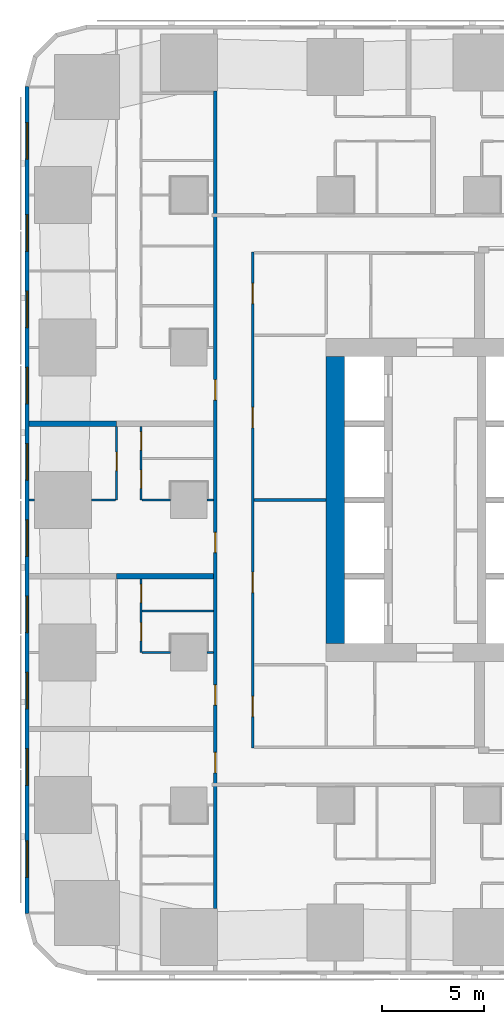
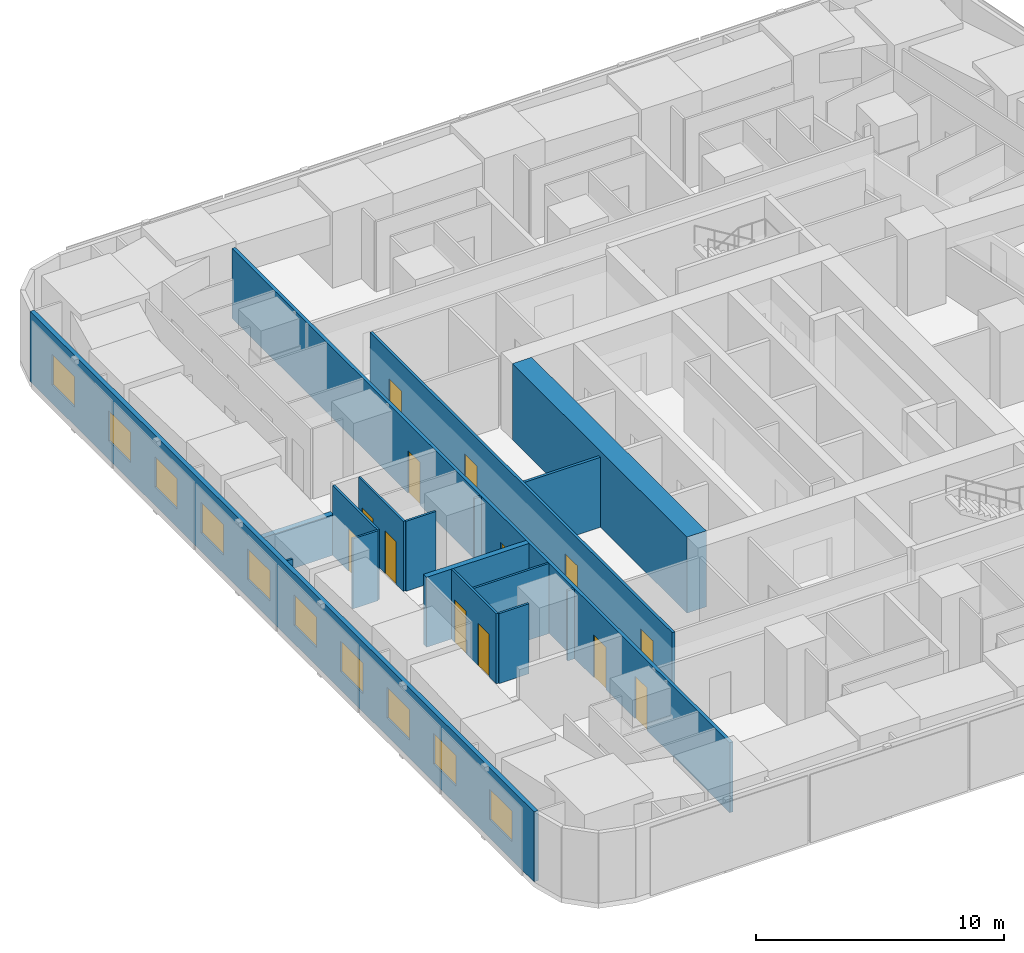
# One storey, part 4 of 15: 17 walls, 13 doors, 10 windows, 23 openings.
"""IFC4 building model written with IfcOpenShell, lengths in metres."""

from ifc_helpers import new_model, si_unit, direction, frame, frame_2d, origin, place, context, subcontext, project, spatial, rectangle, extrude, material, layer, layer_set, type_object, element, fill, save


model = new_model("IFC4")

# Units and contexts
model_context = context("Model", 3, precision=1e-05, world=origin(), true_north=direction((0.0, 1.0)))
body_context = subcontext(model_context, "Body", "Model", "MODEL_VIEW")
ifc_project = project(units=[si_unit("LENGTHUNIT", "METRE"), si_unit("AREAUNIT", "SQUARE_METRE"), si_unit("VOLUMEUNIT", "CUBIC_METRE"), si_unit("PLANEANGLEUNIT", "RADIAN"), si_unit("MASSUNIT", "GRAM", prefix="KILO")], contexts=[model_context])

# Site, building, storey
site_placement = place(None, origin())
site = spatial("IfcSite", under=ifc_project, at=site_placement, CompositionType="ELEMENT")
building_placement = place(site_placement, origin())
building = spatial("IfcBuilding", under=site, at=building_placement, Name="Sheger Commons Tower", CompositionType="ELEMENT")
storey_placement = place(building_placement, frame((0.0, 0.0, 68.75)))
storey = spatial("IfcBuildingStorey", under=building, at=storey_placement, Name="L17", CompositionType="ELEMENT", Elevation=68.75)

# Wall
ifc_material_1 = material(Name="Concrete C50/60", Category="concrete")
ifc_layer_1 = layer(ifc_material_1, 0.89990234375)
ifc_layer_set_1 = layer_set([ifc_layer_1], Name="CORE WALL 900")
wall_type_1 = type_object("IfcWallType", Name="CORE WALL 900", PredefinedType="SHEAR", material=ifc_layer_set_1)
wall_1_placement = place(storey_placement, frame((14.39990234375, 15.449951171875, 0.0), z_axis=(0.0, 0.0, 1.0), x_axis=(0.0, 1.0, 0.0)))
element("IfcWall", 1, at=wall_1_placement, inside=storey, type_object=wall_type_1, Name="Core wall west L17", PredefinedType="SHEAR", context=body_context, shape_type="SweptSolid", body=[
    extrude(rectangle(XDim=14.10009765625, YDim=0.89990234375, at=frame_2d((7.050048828125, 0.0))), origin(), (0.0, 0.0, 1.0), 3.75),
])

# Wall, openings, doors
ifc_material_2 = material(Name="Hollow concrete block masonry, skimmed both sides", Category="masonry")
ifc_layer_2 = layer(ifc_material_2, 0.14990234375)
ifc_layer_set_2 = layer_set([ifc_layer_2], Name="CORRIDOR WALL 150")
wall_type_2 = type_object("IfcWallType", Name="CORRIDOR WALL 150", PredefinedType="SOLIDWALL", material=ifc_layer_set_2)
wall_2_placement = place(storey_placement, frame((8.5, 2.426025390625, 0.0), z_axis=(0.0, 0.0, 1.0), x_axis=(0.0, 1.0, 0.0)))
wall_2 = element("IfcWall", 2, at=wall_2_placement, inside=storey, type_object=wall_type_2, Name="Corridor wall L17", PredefinedType="SOLIDWALL", context=body_context, shape_type="SweptSolid", body=[
    extrude(rectangle(XDim=40.173095703125, YDim=0.14990234375, at=frame_2d((20.08642578125, 0.0))), origin(), (0.0, 0.0, 1.0), 3.449951171875),
])
opening_1_placement = place(wall_2_placement, frame((6.660888671875, 0.0, 0.0)))
opening_1 = element("IfcOpeningElement", 3, at=opening_1_placement, cuts=wall_2, Name="Opening D1", PredefinedType="OPENING", context=body_context, shape_type="SweptSolid", body=[
    extrude(rectangle(XDim=1.0, YDim=2.10009765625, at=frame_2d((0.5, 1.050048828125))), frame((0.0, 0.0849609375, 0.0), z_axis=(0.0, -1.0, 0.0), x_axis=(1.0, 0.0, 0.0)), (0.0, 0.0, 1.0), 0.169921875),
])
opening_2_placement = place(wall_2_placement, frame((9.986083984375, 0.0, 0.0)))
opening_2 = element("IfcOpeningElement", 4, at=opening_2_placement, cuts=wall_2, Name="Opening D1", PredefinedType="OPENING", context=body_context, shape_type="SweptSolid", body=[
    extrude(rectangle(XDim=1.0, YDim=2.10009765625, at=frame_2d((0.5, 1.050048828125))), frame((0.0, 0.0849609375, 0.0), z_axis=(0.0, -1.0, 0.0), x_axis=(1.0, 0.0, 0.0)), (0.0, 0.0, 1.0), 0.169921875),
])
opening_3_placement = place(wall_2_placement, frame((17.487060546875, 0.0, 0.0)))
opening_3 = element("IfcOpeningElement", 5, at=opening_3_placement, cuts=wall_2, Name="Opening D1", PredefinedType="OPENING", context=body_context, shape_type="SweptSolid", body=[
    extrude(rectangle(XDim=1.0, YDim=2.10009765625, at=frame_2d((0.5, 1.050048828125))), frame((0.0, 0.0849609375, 0.0), z_axis=(0.0, -1.0, 0.0), x_axis=(1.0, 0.0, 0.0)), (0.0, 0.0, 1.0), 0.169921875),
])
opening_4_placement = place(wall_2_placement, frame((24.987060546875, 0.0, 0.0)))
opening_4 = element("IfcOpeningElement", 6, at=opening_4_placement, cuts=wall_2, Name="Opening D1", PredefinedType="OPENING", context=body_context, shape_type="SweptSolid", body=[
    extrude(rectangle(XDim=1.0, YDim=2.10009765625, at=frame_2d((0.5, 1.050048828125))), frame((0.0, 0.0849609375, 0.0), z_axis=(0.0, -1.0, 0.0), x_axis=(1.0, 0.0, 0.0)), (0.0, 0.0, 1.0), 0.169921875),
])
ifc_material_3 = material(Name="Steel door set, fire rated", Category="steel")
door_type_1 = type_object("IfcDoorType", Name="FLAT ENTRANCE DOOR 1000x2100", OperationType="NOTDEFINED", PredefinedType="DOOR", material=ifc_material_3)
door_1_placement = place(opening_1_placement, origin())
door_1 = element("IfcDoor", 7, at=door_1_placement, inside=storey, type_object=door_type_1, Name="Flat entrance door", OperationType="SINGLE_SWING_RIGHT", OverallHeight=2.10009765625, OverallWidth=1.0, PredefinedType="DOOR", context=body_context, shape_type="SweptSolid", body=[
    extrude(rectangle(XDim=1.0, YDim=2.10009765625, at=frame_2d((0.5, 1.050048828125))), frame((0.0, 0.02490234375, 0.0), z_axis=(0.0, -1.0, 0.0), x_axis=(1.0, 0.0, 0.0)), (0.0, 0.0, 1.0), 0.050048828125),
])
fill(opening_1, door_1)
door_2_placement = place(opening_2_placement, origin())
door_2 = element("IfcDoor", 8, at=door_2_placement, inside=storey, type_object=door_type_1, Name="Flat entrance door", OperationType="SINGLE_SWING_LEFT", OverallHeight=2.10009765625, OverallWidth=1.0, PredefinedType="DOOR", context=body_context, shape_type="SweptSolid", body=[
    extrude(rectangle(XDim=1.0, YDim=2.10009765625, at=frame_2d((0.5, 1.050048828125))), frame((0.0, 0.02490234375, 0.0), z_axis=(0.0, -1.0, 0.0), x_axis=(1.0, 0.0, 0.0)), (0.0, 0.0, 1.0), 0.050048828125),
])
fill(opening_2, door_2)
door_3_placement = place(opening_3_placement, origin())
door_3 = element("IfcDoor", 9, at=door_3_placement, inside=storey, type_object=door_type_1, Name="Flat entrance door", OperationType="SINGLE_SWING_LEFT", OverallHeight=2.10009765625, OverallWidth=1.0, PredefinedType="DOOR", context=body_context, shape_type="SweptSolid", body=[
    extrude(rectangle(XDim=1.0, YDim=2.10009765625, at=frame_2d((0.5, 1.050048828125))), frame((0.0, 0.02490234375, 0.0), z_axis=(0.0, -1.0, 0.0), x_axis=(1.0, 0.0, 0.0)), (0.0, 0.0, 1.0), 0.050048828125),
])
fill(opening_3, door_3)
door_4_placement = place(opening_4_placement, origin())
door_4 = element("IfcDoor", 10, at=door_4_placement, inside=storey, type_object=door_type_1, Name="Flat entrance door", OperationType="SINGLE_SWING_LEFT", OverallHeight=2.10009765625, OverallWidth=1.0, PredefinedType="DOOR", context=body_context, shape_type="SweptSolid", body=[
    extrude(rectangle(XDim=1.0, YDim=2.10009765625, at=frame_2d((0.5, 1.050048828125))), frame((0.0, 0.02490234375, 0.0), z_axis=(0.0, -1.0, 0.0), x_axis=(1.0, 0.0, 0.0)), (0.0, 0.0, 1.0), 0.050048828125),
])
fill(opening_4, door_4)

# Walls
ifc_material_4 = material(Name="Dense concrete block masonry, plastered both sides (separating wall between flats)", Category="masonry")
ifc_layer_3 = layer(ifc_material_4, 0.25)
ifc_layer_set_3 = layer_set([ifc_layer_3], Name="DEMISING WALL 250")
wall_type_3 = type_object("IfcWallType", Name="DEMISING WALL 250", PredefinedType="SOLIDWALL", material=ifc_layer_set_3)
wall_3_placement = place(storey_placement, frame((3.64990234375, 18.75, 0.0), z_axis=(0.0, 0.0, 1.0), x_axis=(1.0, 0.0, 0.0)))
element("IfcWall", 11, at=wall_3_placement, inside=storey, type_object=wall_type_3, Name="Demising wall L17", PredefinedType="SOLIDWALL", context=body_context, shape_type="SweptSolid", body=[
    extrude(rectangle(XDim=4.775146484375, YDim=0.25, at=frame_2d((2.3876953125, 0.0))), origin(), (0.0, 0.0, 1.0), 3.449951171875),
])
wall_4_placement = place(storey_placement, frame((-0.64990234375, 26.25, 0.0), z_axis=(0.0, 0.0, 1.0), x_axis=(1.0, 0.0, 0.0)))
element("IfcWall", 12, at=wall_4_placement, inside=storey, type_object=wall_type_3, Name="Demising wall L17", PredefinedType="SOLIDWALL", context=body_context, shape_type="SweptSolid", body=[
    extrude(rectangle(XDim=4.2998046875, YDim=0.25, at=frame_2d((2.14990234375, 0.0))), origin(), (0.0, 0.0, 1.0), 2.0),
])

# Wall, openings, windows
ifc_material_5 = material(Name="Rendered concrete block masonry, dark grey", Category="masonry")
ifc_layer_4 = layer(ifc_material_5, 0.199951171875)
ifc_layer_set_4 = layer_set([ifc_layer_4], Name="FACADE WALL 200")
wall_type_4 = type_object("IfcWallType", Name="FACADE WALL 200", PredefinedType="SOLIDWALL", material=ifc_layer_set_4)
wall_5_placement = place(storey_placement, frame((-0.75, 42.8369140625, 0.0), z_axis=(0.0, 0.0, 1.0), x_axis=(0.0, -1.0, 0.0)))
wall_5 = element("IfcWall", 13, at=wall_5_placement, inside=storey, type_object=wall_type_4, Name="Facade wall L17", PredefinedType="SOLIDWALL", context=body_context, shape_type="SweptSolid", body=[
    extrude(rectangle(XDim=40.673828125, YDim=0.199951171875, at=frame_2d((20.3369140625, 0.0))), origin(), (0.0, 0.0, 1.0), 3.449951171875),
])
opening_5_placement = place(wall_5_placement, frame((1.780029296875, 0.0, 0.89990234375)))
opening_5 = element("IfcOpeningElement", 14, at=opening_5_placement, cuts=wall_5, Name="Opening W2", PredefinedType="OPENING", context=body_context, shape_type="SweptSolid", body=[
    extrude(rectangle(XDim=1.800048828125, YDim=1.5, at=frame_2d((0.89990234375, 0.75))), frame((0.0, 0.10986328125, 0.0), z_axis=(0.0, -1.0, 0.0), x_axis=(1.0, 0.0, 0.0)), (0.0, 0.0, 1.0), 0.219970703125),
])
opening_6_placement = place(wall_5_placement, frame((6.31201171875, 0.0, 0.89990234375)))
opening_6 = element("IfcOpeningElement", 15, at=opening_6_placement, cuts=wall_5, Name="Opening W2", PredefinedType="OPENING", context=body_context, shape_type="SweptSolid", body=[
    extrude(rectangle(XDim=1.800048828125, YDim=1.5, at=frame_2d((0.89990234375, 0.75))), frame((0.0, 0.10986328125, 0.0), z_axis=(0.0, -1.0, 0.0), x_axis=(1.0, 0.0, 0.0)), (0.0, 0.0, 1.0), 0.219970703125),
])
opening_7_placement = place(wall_5_placement, frame((10.06201171875, 0.0, 0.89990234375)))
opening_7 = element("IfcOpeningElement", 16, at=opening_7_placement, cuts=wall_5, Name="Opening W2", PredefinedType="OPENING", context=body_context, shape_type="SweptSolid", body=[
    extrude(rectangle(XDim=1.800048828125, YDim=1.5, at=frame_2d((0.89990234375, 0.75))), frame((0.0, 0.10986328125, 0.0), z_axis=(0.0, -1.0, 0.0), x_axis=(1.0, 0.0, 0.0)), (0.0, 0.0, 1.0), 0.219970703125),
])
opening_8_placement = place(wall_5_placement, frame((13.81201171875, 0.0, 0.89990234375)))
opening_8 = element("IfcOpeningElement", 17, at=opening_8_placement, cuts=wall_5, Name="Opening W2", PredefinedType="OPENING", context=body_context, shape_type="SweptSolid", body=[
    extrude(rectangle(XDim=1.800048828125, YDim=1.5, at=frame_2d((0.89990234375, 0.75))), frame((0.0, 0.10986328125, 0.0), z_axis=(0.0, -1.0, 0.0), x_axis=(1.0, 0.0, 0.0)), (0.0, 0.0, 1.0), 0.219970703125),
])
opening_9_placement = place(wall_5_placement, frame((17.56201171875, 0.0, 0.89990234375)))
opening_9 = element("IfcOpeningElement", 18, at=opening_9_placement, cuts=wall_5, Name="Opening W2", PredefinedType="OPENING", context=body_context, shape_type="SweptSolid", body=[
    extrude(rectangle(XDim=1.800048828125, YDim=1.5, at=frame_2d((0.89990234375, 0.75))), frame((0.0, 0.10986328125, 0.0), z_axis=(0.0, -1.0, 0.0), x_axis=(1.0, 0.0, 0.0)), (0.0, 0.0, 1.0), 0.219970703125),
])
opening_10_placement = place(wall_5_placement, frame((21.31201171875, 0.0, 0.89990234375)))
opening_10 = element("IfcOpeningElement", 19, at=opening_10_placement, cuts=wall_5, Name="Opening W2", PredefinedType="OPENING", context=body_context, shape_type="SweptSolid", body=[
    extrude(rectangle(XDim=1.800048828125, YDim=1.5, at=frame_2d((0.89990234375, 0.75))), frame((0.0, 0.10986328125, 0.0), z_axis=(0.0, -1.0, 0.0), x_axis=(1.0, 0.0, 0.0)), (0.0, 0.0, 1.0), 0.219970703125),
])
opening_11_placement = place(wall_5_placement, frame((25.06201171875, 0.0, 0.89990234375)))
opening_11 = element("IfcOpeningElement", 20, at=opening_11_placement, cuts=wall_5, Name="Opening W2", PredefinedType="OPENING", context=body_context, shape_type="SweptSolid", body=[
    extrude(rectangle(XDim=1.800048828125, YDim=1.5, at=frame_2d((0.89990234375, 0.75))), frame((0.0, 0.10986328125, 0.0), z_axis=(0.0, -1.0, 0.0), x_axis=(1.0, 0.0, 0.0)), (0.0, 0.0, 1.0), 0.219970703125),
])
opening_12_placement = place(wall_5_placement, frame((28.81201171875, 0.0, 0.89990234375)))
opening_12 = element("IfcOpeningElement", 21, at=opening_12_placement, cuts=wall_5, Name="Opening W2", PredefinedType="OPENING", context=body_context, shape_type="SweptSolid", body=[
    extrude(rectangle(XDim=1.800048828125, YDim=1.5, at=frame_2d((0.89990234375, 0.75))), frame((0.0, 0.10986328125, 0.0), z_axis=(0.0, -1.0, 0.0), x_axis=(1.0, 0.0, 0.0)), (0.0, 0.0, 1.0), 0.219970703125),
])
opening_13_placement = place(wall_5_placement, frame((32.56201171875, 0.0, 0.89990234375)))
opening_13 = element("IfcOpeningElement", 22, at=opening_13_placement, cuts=wall_5, Name="Opening W2", PredefinedType="OPENING", context=body_context, shape_type="SweptSolid", body=[
    extrude(rectangle(XDim=1.800048828125, YDim=1.5, at=frame_2d((0.89990234375, 0.75))), frame((0.0, 0.10986328125, 0.0), z_axis=(0.0, -1.0, 0.0), x_axis=(1.0, 0.0, 0.0)), (0.0, 0.0, 1.0), 0.219970703125),
])
opening_14_placement = place(wall_5_placement, frame((37.093994140625, 0.0, 0.89990234375)))
opening_14 = element("IfcOpeningElement", 23, at=opening_14_placement, cuts=wall_5, Name="Opening W2", PredefinedType="OPENING", context=body_context, shape_type="SweptSolid", body=[
    extrude(rectangle(XDim=1.800048828125, YDim=1.5, at=frame_2d((0.89990234375, 0.75))), frame((0.0, 0.10986328125, 0.0), z_axis=(0.0, -1.0, 0.0), x_axis=(1.0, 0.0, 0.0)), (0.0, 0.0, 1.0), 0.219970703125),
])
ifc_material_6 = material(Name="Black aluminium frame, dark tinted double glazing", Category="aluminium")
window_type = type_object("IfcWindowType", Name="WINDOW W2 1800x1500", PartitioningType="SINGLE_PANEL", PredefinedType="WINDOW", material=ifc_material_6)
window_1_placement = place(opening_5_placement, origin())
window_1 = element("IfcWindow", 24, at=window_1_placement, inside=storey, type_object=window_type, Name="Window W2 1800X1500", OverallHeight=1.5, OverallWidth=1.800048828125, PartitioningType="SINGLE_PANEL", PredefinedType="WINDOW", context=body_context, shape_type="SweptSolid", body=[
    extrude(rectangle(XDim=1.800048828125, YDim=1.5, at=frame_2d((0.89990234375, 0.75))), frame((0.0, 0.030029296875, 0.0), z_axis=(0.0, -1.0, 0.0), x_axis=(1.0, 0.0, 0.0)), (0.0, 0.0, 1.0), 0.06005859375),
])
fill(opening_5, window_1)
window_2_placement = place(opening_6_placement, origin())
window_2 = element("IfcWindow", 25, at=window_2_placement, inside=storey, type_object=window_type, Name="Window W2 1800X1500", OverallHeight=1.5, OverallWidth=1.800048828125, PartitioningType="SINGLE_PANEL", PredefinedType="WINDOW", context=body_context, shape_type="SweptSolid", body=[
    extrude(rectangle(XDim=1.800048828125, YDim=1.5, at=frame_2d((0.89990234375, 0.75))), frame((0.0, 0.030029296875, 0.0), z_axis=(0.0, -1.0, 0.0), x_axis=(1.0, 0.0, 0.0)), (0.0, 0.0, 1.0), 0.06005859375),
])
fill(opening_6, window_2)
window_3_placement = place(opening_7_placement, origin())
window_3 = element("IfcWindow", 26, at=window_3_placement, inside=storey, type_object=window_type, Name="Window W2 1800X1500", OverallHeight=1.5, OverallWidth=1.800048828125, PartitioningType="SINGLE_PANEL", PredefinedType="WINDOW", context=body_context, shape_type="SweptSolid", body=[
    extrude(rectangle(XDim=1.800048828125, YDim=1.5, at=frame_2d((0.89990234375, 0.75))), frame((0.0, 0.030029296875, 0.0), z_axis=(0.0, -1.0, 0.0), x_axis=(1.0, 0.0, 0.0)), (0.0, 0.0, 1.0), 0.06005859375),
])
fill(opening_7, window_3)
window_4_placement = place(opening_8_placement, origin())
window_4 = element("IfcWindow", 27, at=window_4_placement, inside=storey, type_object=window_type, Name="Window W2 1800X1500", OverallHeight=1.5, OverallWidth=1.800048828125, PartitioningType="SINGLE_PANEL", PredefinedType="WINDOW", context=body_context, shape_type="SweptSolid", body=[
    extrude(rectangle(XDim=1.800048828125, YDim=1.5, at=frame_2d((0.89990234375, 0.75))), frame((0.0, 0.030029296875, 0.0), z_axis=(0.0, -1.0, 0.0), x_axis=(1.0, 0.0, 0.0)), (0.0, 0.0, 1.0), 0.06005859375),
])
fill(opening_8, window_4)
window_5_placement = place(opening_9_placement, origin())
window_5 = element("IfcWindow", 28, at=window_5_placement, inside=storey, type_object=window_type, Name="Window W2 1800X1500", OverallHeight=1.5, OverallWidth=1.800048828125, PartitioningType="SINGLE_PANEL", PredefinedType="WINDOW", context=body_context, shape_type="SweptSolid", body=[
    extrude(rectangle(XDim=1.800048828125, YDim=1.5, at=frame_2d((0.89990234375, 0.75))), frame((0.0, 0.030029296875, 0.0), z_axis=(0.0, -1.0, 0.0), x_axis=(1.0, 0.0, 0.0)), (0.0, 0.0, 1.0), 0.06005859375),
])
fill(opening_9, window_5)
window_6_placement = place(opening_10_placement, origin())
window_6 = element("IfcWindow", 29, at=window_6_placement, inside=storey, type_object=window_type, Name="Window W2 1800X1500", OverallHeight=1.5, OverallWidth=1.800048828125, PartitioningType="SINGLE_PANEL", PredefinedType="WINDOW", context=body_context, shape_type="SweptSolid", body=[
    extrude(rectangle(XDim=1.800048828125, YDim=1.5, at=frame_2d((0.89990234375, 0.75))), frame((0.0, 0.030029296875, 0.0), z_axis=(0.0, -1.0, 0.0), x_axis=(1.0, 0.0, 0.0)), (0.0, 0.0, 1.0), 0.06005859375),
])
fill(opening_10, window_6)
window_7_placement = place(opening_11_placement, origin())
window_7 = element("IfcWindow", 30, at=window_7_placement, inside=storey, type_object=window_type, Name="Window W2 1800X1500", OverallHeight=1.5, OverallWidth=1.800048828125, PartitioningType="SINGLE_PANEL", PredefinedType="WINDOW", context=body_context, shape_type="SweptSolid", body=[
    extrude(rectangle(XDim=1.800048828125, YDim=1.5, at=frame_2d((0.89990234375, 0.75))), frame((0.0, 0.030029296875, 0.0), z_axis=(0.0, -1.0, 0.0), x_axis=(1.0, 0.0, 0.0)), (0.0, 0.0, 1.0), 0.06005859375),
])
fill(opening_11, window_7)
window_8_placement = place(opening_12_placement, origin())
window_8 = element("IfcWindow", 31, at=window_8_placement, inside=storey, type_object=window_type, Name="Window W2 1800X1500", OverallHeight=1.5, OverallWidth=1.800048828125, PartitioningType="SINGLE_PANEL", PredefinedType="WINDOW", context=body_context, shape_type="SweptSolid", body=[
    extrude(rectangle(XDim=1.800048828125, YDim=1.5, at=frame_2d((0.89990234375, 0.75))), frame((0.0, 0.030029296875, 0.0), z_axis=(0.0, -1.0, 0.0), x_axis=(1.0, 0.0, 0.0)), (0.0, 0.0, 1.0), 0.06005859375),
])
fill(opening_12, window_8)
window_9_placement = place(opening_13_placement, origin())
window_9 = element("IfcWindow", 32, at=window_9_placement, inside=storey, type_object=window_type, Name="Window W2 1800X1500", OverallHeight=1.5, OverallWidth=1.800048828125, PartitioningType="SINGLE_PANEL", PredefinedType="WINDOW", context=body_context, shape_type="SweptSolid", body=[
    extrude(rectangle(XDim=1.800048828125, YDim=1.5, at=frame_2d((0.89990234375, 0.75))), frame((0.0, 0.030029296875, 0.0), z_axis=(0.0, -1.0, 0.0), x_axis=(1.0, 0.0, 0.0)), (0.0, 0.0, 1.0), 0.06005859375),
])
fill(opening_13, window_9)
window_10_placement = place(opening_14_placement, origin())
window_10 = element("IfcWindow", 33, at=window_10_placement, inside=storey, type_object=window_type, Name="Window W2 1800X1500", OverallHeight=1.5, OverallWidth=1.800048828125, PartitioningType="SINGLE_PANEL", PredefinedType="WINDOW", context=body_context, shape_type="SweptSolid", body=[
    extrude(rectangle(XDim=1.800048828125, YDim=1.5, at=frame_2d((0.89990234375, 0.75))), frame((0.0, 0.030029296875, 0.0), z_axis=(0.0, -1.0, 0.0), x_axis=(1.0, 0.0, 0.0)), (0.0, 0.0, 1.0), 0.06005859375),
])
fill(opening_14, window_10)

# Wall, openings, doors
ifc_material_7 = material(Name="Gypsum board on steel studs", Category="steel")
ifc_layer_5 = layer(ifc_material_7, 0.10009765625)
ifc_layer_set_5 = layer_set([ifc_layer_5], Name="PARTITION 100")
wall_type_5 = type_object("IfcWallType", Name="PARTITION 100", PredefinedType="PARTITIONING", material=ifc_layer_set_5)
wall_6_placement = place(storey_placement, frame((4.85009765625, 15.0, 0.0), z_axis=(0.0, 0.0, 1.0), x_axis=(0.0, 1.0, 0.0)))
wall_6 = element("IfcWall", 34, at=wall_6_placement, inside=storey, type_object=wall_type_5, Name="Partition L17", PredefinedType="PARTITIONING", context=body_context, shape_type="SweptSolid", body=[
    extrude(rectangle(XDim=3.625, YDim=0.10009765625, at=frame_2d((1.8125, 0.0))), origin(), (0.0, 0.0, 1.0), 3.449951171875),
])
opening_15_placement = place(wall_6_placement, frame((0.574951171875, 0.0, 0.0)))
opening_15 = element("IfcOpeningElement", 35, at=opening_15_placement, cuts=wall_6, Name="Opening D2", PredefinedType="OPENING", context=body_context, shape_type="SweptSolid", body=[
    extrude(rectangle(XDim=0.89990234375, YDim=2.10009765625, at=frame_2d((0.449951171875, 1.050048828125))), frame((0.0, 0.06005859375, 0.0), z_axis=(0.0, -1.0, 0.0), x_axis=(1.0, 0.0, 0.0)), (0.0, 0.0, 1.0), 0.1201171875),
])
opening_16_placement = place(wall_6_placement, frame((2.449951171875, 0.0, 0.0)))
opening_16 = element("IfcOpeningElement", 36, at=opening_16_placement, cuts=wall_6, Name="Opening D2", PredefinedType="OPENING", context=body_context, shape_type="SweptSolid", body=[
    extrude(rectangle(XDim=0.89990234375, YDim=2.10009765625, at=frame_2d((0.449951171875, 1.050048828125))), frame((0.0, 0.06005859375, 0.0), z_axis=(0.0, -1.0, 0.0), x_axis=(1.0, 0.0, 0.0)), (0.0, 0.0, 1.0), 0.1201171875),
])
ifc_material_8 = material(Name="Timber door set", Category="wood")
door_type_2 = type_object("IfcDoorType", Name="INTERNAL DOOR 900x2100", OperationType="NOTDEFINED", PredefinedType="DOOR", material=ifc_material_8)
door_5_placement = place(opening_15_placement, origin())
door_5 = element("IfcDoor", 37, at=door_5_placement, inside=storey, type_object=door_type_2, Name="Bathroom door", OperationType="SINGLE_SWING_RIGHT", OverallHeight=2.10009765625, OverallWidth=0.89990234375, PredefinedType="DOOR", context=body_context, shape_type="SweptSolid", body=[
    extrude(rectangle(XDim=0.89990234375, YDim=2.10009765625, at=frame_2d((0.449951171875, 1.050048828125))), frame((0.0, 0.02490234375, 0.0), z_axis=(0.0, -1.0, 0.0), x_axis=(1.0, 0.0, 0.0)), (0.0, 0.0, 1.0), 0.050048828125),
])
fill(opening_15, door_5)
door_6_placement = place(opening_16_placement, origin())
door_6 = element("IfcDoor", 38, at=door_6_placement, inside=storey, type_object=door_type_2, Name="Store door", OperationType="SINGLE_SWING_LEFT", OverallHeight=2.10009765625, OverallWidth=0.89990234375, PredefinedType="DOOR", context=body_context, shape_type="SweptSolid", body=[
    extrude(rectangle(XDim=0.89990234375, YDim=2.10009765625, at=frame_2d((0.449951171875, 1.050048828125))), frame((0.0, 0.02490234375, 0.0), z_axis=(0.0, -1.0, 0.0), x_axis=(1.0, 0.0, 0.0)), (0.0, 0.0, 1.0), 0.050048828125),
])
fill(opening_16, door_6)

# Walls
wall_7_placement = place(storey_placement, frame((4.89990234375, 15.0, 0.0), z_axis=(0.0, 0.0, 1.0), x_axis=(1.0, 0.0, 0.0)))
element("IfcWall", 39, at=wall_7_placement, inside=storey, type_object=wall_type_5, Name="Partition L17", PredefinedType="PARTITIONING", context=body_context, shape_type="SweptSolid", body=[
    extrude(rectangle(XDim=1.399169921875, YDim=0.10009765625, at=frame_2d((0.69970703125, 0.0))), origin(), (0.0, 0.0, 1.0), 3.449951171875),
])
wall_8_placement = place(storey_placement, frame((8.10107421875, 15.0, 0.0), z_axis=(0.0, 0.0, 1.0), x_axis=(1.0, 0.0, 0.0)))
element("IfcWall", 40, at=wall_8_placement, inside=storey, type_object=wall_type_5, Name="Partition L17", PredefinedType="PARTITIONING", context=body_context, shape_type="SweptSolid", body=[
    extrude(rectangle(XDim=0.323974609375, YDim=0.10009765625, at=frame_2d((0.162109375, 0.0))), origin(), (0.0, 0.0, 1.0), 3.449951171875),
])
wall_9_placement = place(storey_placement, frame((4.89990234375, 17.050048828125, 0.0), z_axis=(0.0, 0.0, 1.0), x_axis=(1.0, 0.0, 0.0)))
element("IfcWall", 41, at=wall_9_placement, inside=storey, type_object=wall_type_5, Name="Partition L17", PredefinedType="PARTITIONING", context=body_context, shape_type="SweptSolid", body=[
    extrude(rectangle(XDim=3.525146484375, YDim=0.10009765625, at=frame_2d((1.7626953125, 0.0))), origin(), (0.0, 0.0, 1.0), 3.449951171875),
])

# Wall, opening, door
wall_10_placement = place(storey_placement, frame((3.64990234375, 22.5, 0.0), z_axis=(0.0, 0.0, 1.0), x_axis=(0.0, 1.0, 0.0)))
wall_10 = element("IfcWall", 42, at=wall_10_placement, inside=storey, type_object=wall_type_5, Name="Partition L17", PredefinedType="PARTITIONING", context=body_context, shape_type="SweptSolid", body=[
    extrude(rectangle(XDim=3.625, YDim=0.10009765625, at=frame_2d((1.8125, 0.0))), origin(), (0.0, 0.0, 1.0), 3.449951171875),
])
opening_17_placement = place(wall_10_placement, frame((1.449951171875, 0.0, 0.0)))
opening_17 = element("IfcOpeningElement", 43, at=opening_17_placement, cuts=wall_10, Name="Opening D2", PredefinedType="OPENING", context=body_context, shape_type="SweptSolid", body=[
    extrude(rectangle(XDim=0.89990234375, YDim=2.10009765625, at=frame_2d((0.449951171875, 1.050048828125))), frame((0.0, 0.06005859375, 0.0), z_axis=(0.0, -1.0, 0.0), x_axis=(1.0, 0.0, 0.0)), (0.0, 0.0, 1.0), 0.1201171875),
])
door_7_placement = place(opening_17_placement, origin())
door_7 = element("IfcDoor", 44, at=door_7_placement, inside=storey, type_object=door_type_2, Name="Main bedroom door", OperationType="SINGLE_SWING_RIGHT", OverallHeight=2.10009765625, OverallWidth=0.89990234375, PredefinedType="DOOR", context=body_context, shape_type="SweptSolid", body=[
    extrude(rectangle(XDim=0.89990234375, YDim=2.10009765625, at=frame_2d((0.449951171875, 1.050048828125))), frame((0.0, 0.02490234375, 0.0), z_axis=(0.0, -1.0, 0.0), x_axis=(1.0, 0.0, 0.0)), (0.0, 0.0, 1.0), 0.050048828125),
])
fill(opening_17, door_7)

# Wall, openings, doors
wall_11_placement = place(storey_placement, frame((4.85009765625, 22.5, 0.0), z_axis=(0.0, 0.0, 1.0), x_axis=(0.0, 1.0, 0.0)))
wall_11 = element("IfcWall", 45, at=wall_11_placement, inside=storey, type_object=wall_type_5, Name="Partition L17", PredefinedType="PARTITIONING", context=body_context, shape_type="SweptSolid", body=[
    extrude(rectangle(XDim=3.625, YDim=0.10009765625, at=frame_2d((1.8125, 0.0))), origin(), (0.0, 0.0, 1.0), 3.449951171875),
])
opening_18_placement = place(wall_11_placement, frame((0.574951171875, 0.0, 0.0)))
opening_18 = element("IfcOpeningElement", 46, at=opening_18_placement, cuts=wall_11, Name="Opening D2", PredefinedType="OPENING", context=body_context, shape_type="SweptSolid", body=[
    extrude(rectangle(XDim=0.89990234375, YDim=2.10009765625, at=frame_2d((0.449951171875, 1.050048828125))), frame((0.0, 0.06005859375, 0.0), z_axis=(0.0, -1.0, 0.0), x_axis=(1.0, 0.0, 0.0)), (0.0, 0.0, 1.0), 0.1201171875),
])
opening_19_placement = place(wall_11_placement, frame((2.449951171875, 0.0, 0.0)))
opening_19 = element("IfcOpeningElement", 47, at=opening_19_placement, cuts=wall_11, Name="Opening D2", PredefinedType="OPENING", context=body_context, shape_type="SweptSolid", body=[
    extrude(rectangle(XDim=0.89990234375, YDim=2.10009765625, at=frame_2d((0.449951171875, 1.050048828125))), frame((0.0, 0.06005859375, 0.0), z_axis=(0.0, -1.0, 0.0), x_axis=(1.0, 0.0, 0.0)), (0.0, 0.0, 1.0), 0.1201171875),
])
door_8_placement = place(opening_18_placement, origin())
door_8 = element("IfcDoor", 48, at=door_8_placement, inside=storey, type_object=door_type_2, Name="Bathroom door", OperationType="SINGLE_SWING_RIGHT", OverallHeight=2.10009765625, OverallWidth=0.89990234375, PredefinedType="DOOR", context=body_context, shape_type="SweptSolid", body=[
    extrude(rectangle(XDim=0.89990234375, YDim=2.10009765625, at=frame_2d((0.449951171875, 1.050048828125))), frame((0.0, 0.02490234375, 0.0), z_axis=(0.0, -1.0, 0.0), x_axis=(1.0, 0.0, 0.0)), (0.0, 0.0, 1.0), 0.050048828125),
])
fill(opening_18, door_8)
door_9_placement = place(opening_19_placement, origin())
door_9 = element("IfcDoor", 49, at=door_9_placement, inside=storey, type_object=door_type_2, Name="Store door", OperationType="SINGLE_SWING_LEFT", OverallHeight=2.10009765625, OverallWidth=0.89990234375, PredefinedType="DOOR", context=body_context, shape_type="SweptSolid", body=[
    extrude(rectangle(XDim=0.89990234375, YDim=2.10009765625, at=frame_2d((0.449951171875, 1.050048828125))), frame((0.0, 0.02490234375, 0.0), z_axis=(0.0, -1.0, 0.0), x_axis=(1.0, 0.0, 0.0)), (0.0, 0.0, 1.0), 0.050048828125),
])
fill(opening_19, door_9)

# Walls
wall_12_placement = place(storey_placement, frame((-0.64990234375, 22.5, 0.0), z_axis=(0.0, 0.0, 1.0), x_axis=(1.0, 0.0, 0.0)))
element("IfcWall", 50, at=wall_12_placement, inside=storey, type_object=wall_type_5, Name="Partition L17", PredefinedType="PARTITIONING", context=body_context, shape_type="SweptSolid", body=[
    extrude(rectangle(XDim=0.27392578125, YDim=0.10009765625, at=frame_2d((0.136962890625, 0.0))), origin(), (0.0, 0.0, 1.0), 3.449951171875),
])
wall_13_placement = place(storey_placement, frame((2.426025390625, 22.5, 0.0), z_axis=(0.0, 0.0, 1.0), x_axis=(1.0, 0.0, 0.0)))
element("IfcWall", 51, at=wall_13_placement, inside=storey, type_object=wall_type_5, Name="Partition L17", PredefinedType="PARTITIONING", context=body_context, shape_type="SweptSolid", body=[
    extrude(rectangle(XDim=1.174072265625, YDim=0.10009765625, at=frame_2d((0.5869140625, 0.0))), origin(), (0.0, 0.0, 1.0), 3.449951171875),
])
wall_14_placement = place(storey_placement, frame((4.89990234375, 22.5, 0.0), z_axis=(0.0, 0.0, 1.0), x_axis=(1.0, 0.0, 0.0)))
element("IfcWall", 52, at=wall_14_placement, inside=storey, type_object=wall_type_5, Name="Partition L17", PredefinedType="PARTITIONING", context=body_context, shape_type="SweptSolid", body=[
    extrude(rectangle(XDim=1.399169921875, YDim=0.10009765625, at=frame_2d((0.69970703125, 0.0))), origin(), (0.0, 0.0, 1.0), 3.449951171875),
])
wall_15_placement = place(storey_placement, frame((8.10107421875, 22.5, 0.0), z_axis=(0.0, 0.0, 1.0), x_axis=(1.0, 0.0, 0.0)))
element("IfcWall", 53, at=wall_15_placement, inside=storey, type_object=wall_type_5, Name="Partition L17", PredefinedType="PARTITIONING", context=body_context, shape_type="SweptSolid", body=[
    extrude(rectangle(XDim=0.323974609375, YDim=0.10009765625, at=frame_2d((0.162109375, 0.0))), origin(), (0.0, 0.0, 1.0), 3.449951171875),
])

# Wall, openings, doors
ifc_material_9 = material(Name="Gypsum board on steel studs, two layers each side, fire rated", Category="steel")
ifc_layer_6 = layer(ifc_material_9, 0.125)
ifc_layer_set_6 = layer_set([ifc_layer_6], Name="SERVICE WALL 125")
wall_type_6 = type_object("IfcWallType", Name="SERVICE WALL 125", PredefinedType="PARTITIONING", material=ifc_layer_set_6)
wall_16_placement = place(storey_placement, frame((10.35009765625, 10.300048828125, 0.0), z_axis=(0.0, 0.0, 1.0), x_axis=(0.0, 1.0, 0.0)))
wall_16 = element("IfcWall", 54, at=wall_16_placement, inside=storey, type_object=wall_type_6, Name="Service room wall L17", PredefinedType="PARTITIONING", context=body_context, shape_type="SweptSolid", body=[
    extrude(rectangle(XDim=24.39990234375, YDim=0.125, at=frame_2d((12.199951171875, 0.0))), origin(), (0.0, 0.0, 1.0), 3.449951171875),
])
opening_20_placement = place(wall_16_placement, frame((1.550048828125, 0.0, 0.0)))
opening_20 = element("IfcOpeningElement", 55, at=opening_20_placement, cuts=wall_16, Name="Opening D4", PredefinedType="OPENING", context=body_context, shape_type="SweptSolid", body=[
    extrude(rectangle(XDim=1.0, YDim=2.10009765625, at=frame_2d((0.5, 1.050048828125))), frame((0.0, 0.072509765625, 0.0), z_axis=(0.0, -1.0, 0.0), x_axis=(1.0, 0.0, 0.0)), (0.0, 0.0, 1.0), 0.14501953125),
])
opening_21_placement = place(wall_16_placement, frame((7.64990234375, 0.0, 0.0)))
opening_21 = element("IfcOpeningElement", 56, at=opening_21_placement, cuts=wall_16, Name="Opening D4", PredefinedType="OPENING", context=body_context, shape_type="SweptSolid", body=[
    extrude(rectangle(XDim=1.0, YDim=2.10009765625, at=frame_2d((0.5, 1.050048828125))), frame((0.0, 0.072509765625, 0.0), z_axis=(0.0, -1.0, 0.0), x_axis=(1.0, 0.0, 0.0)), (0.0, 0.0, 1.0), 0.14501953125),
])
opening_22_placement = place(wall_16_placement, frame((15.75, 0.0, 0.0)))
opening_22 = element("IfcOpeningElement", 57, at=opening_22_placement, cuts=wall_16, Name="Opening D4", PredefinedType="OPENING", context=body_context, shape_type="SweptSolid", body=[
    extrude(rectangle(XDim=1.0, YDim=2.10009765625, at=frame_2d((0.5, 1.050048828125))), frame((0.0, 0.072509765625, 0.0), z_axis=(0.0, -1.0, 0.0), x_axis=(1.0, 0.0, 0.0)), (0.0, 0.0, 1.0), 0.14501953125),
])
opening_23_placement = place(wall_16_placement, frame((21.85009765625, 0.0, 0.0)))
opening_23 = element("IfcOpeningElement", 58, at=opening_23_placement, cuts=wall_16, Name="Opening D4", PredefinedType="OPENING", context=body_context, shape_type="SweptSolid", body=[
    extrude(rectangle(XDim=1.0, YDim=2.10009765625, at=frame_2d((0.5, 1.050048828125))), frame((0.0, 0.072509765625, 0.0), z_axis=(0.0, -1.0, 0.0), x_axis=(1.0, 0.0, 0.0)), (0.0, 0.0, 1.0), 0.14501953125),
])
ifc_material_10 = material(Name="Steel door set, fire rated", Category="steel")
door_type_3 = type_object("IfcDoorType", Name="SERVICE DOOR 1000x2100", OperationType="NOTDEFINED", PredefinedType="DOOR", material=ifc_material_10)
door_10_placement = place(opening_20_placement, origin())
door_10 = element("IfcDoor", 59, at=door_10_placement, inside=storey, type_object=door_type_3, Name="Refuse chute room door", OperationType="SINGLE_SWING_RIGHT", OverallHeight=2.10009765625, OverallWidth=1.0, PredefinedType="DOOR", context=body_context, shape_type="SweptSolid", body=[
    extrude(rectangle(XDim=1.0, YDim=2.10009765625, at=frame_2d((0.5, 1.050048828125))), frame((0.0, 0.02490234375, 0.0), z_axis=(0.0, -1.0, 0.0), x_axis=(1.0, 0.0, 0.0)), (0.0, 0.0, 1.0), 0.050048828125),
])
fill(opening_20, door_10)
door_11_placement = place(opening_21_placement, origin())
door_11 = element("IfcDoor", 60, at=door_11_placement, inside=storey, type_object=door_type_3, Name="Laundry and drying room door", OperationType="SINGLE_SWING_LEFT", OverallHeight=2.10009765625, OverallWidth=1.0, PredefinedType="DOOR", context=body_context, shape_type="SweptSolid", body=[
    extrude(rectangle(XDim=1.0, YDim=2.10009765625, at=frame_2d((0.5, 1.050048828125))), frame((0.0, 0.02490234375, 0.0), z_axis=(0.0, -1.0, 0.0), x_axis=(1.0, 0.0, 0.0)), (0.0, 0.0, 1.0), 0.050048828125),
])
fill(opening_21, door_11)
door_12_placement = place(opening_22_placement, origin())
door_12 = element("IfcDoor", 61, at=door_12_placement, inside=storey, type_object=door_type_3, Name="Residents' store door", OperationType="SINGLE_SWING_LEFT", OverallHeight=2.10009765625, OverallWidth=1.0, PredefinedType="DOOR", context=body_context, shape_type="SweptSolid", body=[
    extrude(rectangle(XDim=1.0, YDim=2.10009765625, at=frame_2d((0.5, 1.050048828125))), frame((0.0, 0.02490234375, 0.0), z_axis=(0.0, -1.0, 0.0), x_axis=(1.0, 0.0, 0.0)), (0.0, 0.0, 1.0), 0.050048828125),
])
fill(opening_22, door_12)
door_13_placement = place(opening_23_placement, origin())
door_13 = element("IfcDoor", 62, at=door_13_placement, inside=storey, type_object=door_type_3, Name="Cleaner's store door", OperationType="SINGLE_SWING_LEFT", OverallHeight=2.10009765625, OverallWidth=1.0, PredefinedType="DOOR", context=body_context, shape_type="SweptSolid", body=[
    extrude(rectangle(XDim=1.0, YDim=2.10009765625, at=frame_2d((0.5, 1.050048828125))), frame((0.0, 0.02490234375, 0.0), z_axis=(0.0, -1.0, 0.0), x_axis=(1.0, 0.0, 0.0)), (0.0, 0.0, 1.0), 0.050048828125),
])
fill(opening_23, door_13)

# Wall
wall_17_placement = place(storey_placement, frame((10.4130859375, 22.5, 0.0), z_axis=(0.0, 0.0, 1.0), x_axis=(1.0, 0.0, 0.0)))
element("IfcWall", 63, at=wall_17_placement, inside=storey, type_object=wall_type_6, Name="Service room wall L17", PredefinedType="PARTITIONING", context=body_context, shape_type="SweptSolid", body=[
    extrude(rectangle(XDim=3.536865234375, YDim=0.125, at=frame_2d((1.7685546875, 0.0))), origin(), (0.0, 0.0, 1.0), 3.449951171875),
])

save(model, "model.ifc")
